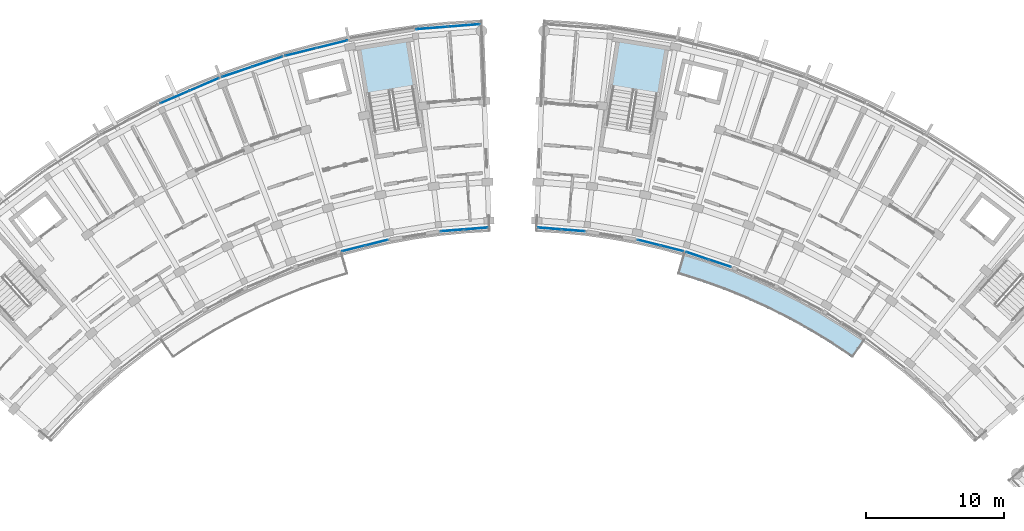
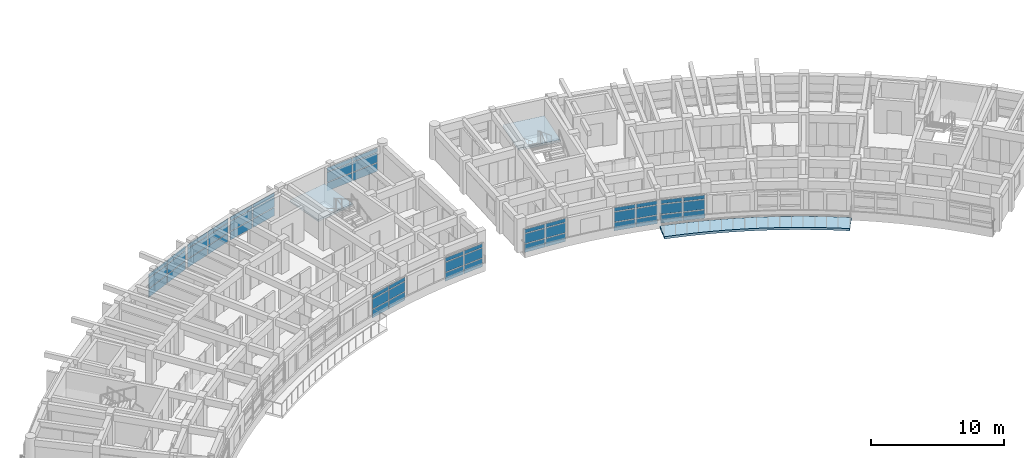
# One storey, part 21 of 56: 54 plates, 3 slabs, 11 elements without a shape of their own.
"""IFC4 building model written with IfcOpenShell, lengths in metres."""

import ifcopenshell
import ifcopenshell.guid

model = None  # the IFC model being written
_history = None  # IfcOwnerHistory: only IFC2X3 demands one
_inside = {}  # id of a spatial element -> (the spatial element, [elements in it])
_under = {}  # id of a project, library or spatial element -> (it, [spatial elements below it])
_declared = {}  # id of a project -> (the project, [libraries it declares])
_typed = {}  # id of a type object -> (the type object, [elements of that type])
_made_of = {}  # id of a material, layer set ... -> (it, [elements and type objects made of it])


def new_model(schema):
    """Start an empty IFC model of exactly this schema.

    Asked for "IFC4X3", IfcOpenShell would pick the latest addendum, in which some entities
    have other attributes; the version numbers below select the first issue.
    IFC2X3 requires an IfcOwnerHistory on every rooted entity: one is made here for all.
    """
    global model, _history
    if schema == "IFC4X3":
        model = ifcopenshell.file(schema_version=(4, 3, 0, 0))
    else:
        model = ifcopenshell.file(schema=schema)
    _inside.clear()
    _under.clear()
    _declared.clear()
    _typed.clear()
    _made_of.clear()
    _history = None
    if model.schema == "IFC2X3":
        org = make("IfcOrganization", Name="unknown")
        user = make(
            "IfcPersonAndOrganization",
            ThePerson=make("IfcPerson", FamilyName="unknown"),
            TheOrganization=org,
        )
        app = make(
            "IfcApplication",
            ApplicationDeveloper=org,
            Version="unknown",
            ApplicationFullName="unknown",
            ApplicationIdentifier="unknown",
        )
        _history = make(
            "IfcOwnerHistory",
            OwningUser=user,
            OwningApplication=app,
            ChangeAction="ADDED",
            CreationDate=0,
        )
    return model


def make(cls, **values):
    """One entity of the class cls with the attributes given. An attribute that is None is left unset."""
    return model.create_entity(
        cls, **{name: value for name, value in values.items() if value is not None}
    )


def rooted(cls, **values):
    """An entity with a GlobalId (a new one), such as an element, a storey or a relation."""
    return make(cls, GlobalId=ifcopenshell.guid.new(), OwnerHistory=_history, **values)


def si_unit(unit_type, name, prefix=None):
    """IfcSIUnit, for example si_unit("LENGTHUNIT", "METRE", prefix="MILLI")."""
    return make("IfcSIUnit", UnitType=unit_type, Prefix=prefix, Name=name)


def assignment(units):
    """IfcUnitAssignment: the units of a project."""
    return None if units is None else make("IfcUnitAssignment", Units=units)


def point(xyz):
    """IfcCartesianPoint."""
    return None if xyz is None else make("IfcCartesianPoint", Coordinates=xyz)


def direction(xyz):
    """IfcDirection."""
    return None if xyz is None else make("IfcDirection", DirectionRatios=xyz)


def frame(location, z_axis=None, x_axis=None):
    """IfcAxis2Placement3D, a coordinate frame: its origin and axes. An axis left out is left unset."""
    return make(
        "IfcAxis2Placement3D",
        Location=point(location),
        Axis=direction(z_axis),
        RefDirection=direction(x_axis),
    )


def frame_2d(location, x_axis=None):
    """IfcAxis2Placement2D, a coordinate frame in the plane: its origin and x axis."""
    return make(
        "IfcAxis2Placement2D", Location=point(location), RefDirection=direction(x_axis)
    )


def origin():
    """The frame at (0, 0, 0) with its axes left unset."""
    return frame((0.0, 0.0, 0.0))


def origin_2d():
    """The frame at (0, 0) in the plane with its x axis left unset."""
    return frame_2d((0.0, 0.0))


def place(relative_to, where):
    """IfcLocalPlacement: puts the frame where relative to a parent placement (None: the world)."""
    return make(
        "IfcLocalPlacement", PlacementRelTo=relative_to, RelativePlacement=where
    )


def context(
    kind, dimensions, precision=None, world=None, true_north=None, identifier=None
):
    """IfcGeometricRepresentationContext, for example the 3D "Model" context."""
    return make(
        "IfcGeometricRepresentationContext",
        ContextIdentifier=identifier,
        ContextType=kind,
        CoordinateSpaceDimension=dimensions,
        Precision=precision,
        WorldCoordinateSystem=world,
        TrueNorth=true_north,
    )


def subcontext(parent, identifier, kind, view, scale=None):
    """IfcGeometricRepresentationSubContext, for example "Body" below "Model"."""
    return make(
        "IfcGeometricRepresentationSubContext",
        ContextIdentifier=identifier,
        ContextType=kind,
        ParentContext=parent,
        TargetScale=scale,
        TargetView=view,
    )


def project(units=None, contexts=None):
    """IfcProject with its units and contexts."""
    return rooted(
        "IfcProject",
        Name="project",
        RepresentationContexts=contexts,
        UnitsInContext=assignment(units),
    )


def spatial(cls, under=None, at=None, **own):
    """A site, building, storey or space (cls), placed at a placement, below another one or the project."""
    s = rooted(cls, ObjectPlacement=at, **own)
    if under is not None:
        _under.setdefault(under.id(), (under, []))[1].append(s)
    return s


def polyline(points):
    """IfcPolyline through the points."""
    return make("IfcPolyline", Points=[point(p) for p in points])


def profile(cls, at=None, kind="AREA", **sizes):
    """A parametric profile (cls). Its sizes go by their IFC names, for example OverallWidth=200.0."""
    return make(cls, ProfileType=kind, Position=at, **sizes)


def rectangle(**sizes):
    """IfcRectangleProfileDef."""
    return profile("IfcRectangleProfileDef", **sizes)


def outline(outer, holes=None, kind="AREA"):
    """IfcArbitraryClosedProfileDef: a profile drawn as a closed curve; with holes, ...WithVoids."""
    if holes is None:
        return make("IfcArbitraryClosedProfileDef", ProfileType=kind, OuterCurve=outer)
    return make(
        "IfcArbitraryProfileDefWithVoids",
        ProfileType=kind,
        OuterCurve=outer,
        InnerCurves=holes,
    )


def extrude(swept, where, along, depth):
    """IfcExtrudedAreaSolid: the profile swept, set in the frame where, extruded along a direction by depth."""
    return make(
        "IfcExtrudedAreaSolid",
        SweptArea=swept,
        Position=where,
        ExtrudedDirection=direction(along),
        Depth=depth,
    )


def shape(context_of_items, identifier, shape_type, items):
    """IfcShapeRepresentation: the items that make up one representation, for example the "Body"."""
    return make(
        "IfcShapeRepresentation",
        ContextOfItems=context_of_items,
        RepresentationIdentifier=identifier,
        RepresentationType=shape_type,
        Items=items,
    )


def material(Name=None, Category=None):
    """IfcMaterial."""
    return make("IfcMaterial", Name=Name, Category=Category)


def layer(
    of_material, thickness, ventilated=None, Name=None, Category=None, Priority=None
):
    """IfcMaterialLayer: one layer of a wall or slab, of a material (None: an air gap)."""
    return make(
        "IfcMaterialLayer",
        Material=of_material,
        LayerThickness=thickness,
        IsVentilated=ventilated,
        Name=Name,
        Category=Category,
        Priority=Priority,
    )


def layer_set(layers, Name=None):
    """IfcMaterialLayerSet."""
    return make("IfcMaterialLayerSet", MaterialLayers=layers, LayerSetName=Name)


def made_of(thing, what):
    """Note that an element or type object is made of a material, layer set ...; save() writes the relation."""
    if what is not None:
        _made_of.setdefault(what.id(), (what, []))[1].append(thing)
    return thing


def type_object(cls, material=None, **own):
    """A type object (cls), such as IfcWallType, which elements share."""
    return made_of(rooted(cls, **own), material)


def element(
    cls,
    number,
    at=None,
    inside=None,
    cuts=None,
    type_object=None,
    material=None,
    context=None,
    identifier="Body",
    shape_type=None,
    held_by="IfcProductDefinitionShape",
    body=None,
    shapes=None,
    **own,
):
    """One element of the class cls, such as IfcWall. Its Tag is "e" and its number.

    at: its placement. inside: the storey or other place that contains it. cuts: it is an
    opening in that element (IfcRelVoidsElement). A single representation is given by context,
    identifier, shape_type and body (its items); several are given by shapes. held_by: the class
    of the entity that holds the representations. save() writes the other relations.
    """
    e = rooted(cls, Tag="e%d" % number, ObjectPlacement=at, **own)
    if body is not None:
        shapes = [shape(context, identifier, shape_type, body)]
    if shapes is not None:
        e.Representation = make(held_by, Representations=shapes)
    if inside is not None:
        _inside.setdefault(inside.id(), (inside, []))[1].append(e)
    if cuts is not None:
        rooted(
            "IfcRelVoidsElement", RelatingBuildingElement=cuts, RelatedOpeningElement=e
        )
    if type_object is not None:
        _typed.setdefault(type_object.id(), (type_object, []))[1].append(e)
    return made_of(e, material)


def aggregate(whole, parts):
    """IfcRelAggregates: a whole, such as a stair, and the parts it consists of."""
    return rooted("IfcRelAggregates", RelatingObject=whole, RelatedObjects=parts)


def save(model, path):
    """Write the relations noted so far, then the file.

    IfcRelAggregates (storeys below a building ...), IfcRelContainedInSpatialStructure (elements
    in a storey), IfcRelDefinesByType, IfcRelAssociatesMaterial and IfcRelDeclares: one each for
    every whole, place, type object, material and project.
    """
    for whole, parts in _under.values():
        aggregate(whole, parts)
    for where, things in _inside.values():
        rooted(
            "IfcRelContainedInSpatialStructure",
            RelatedElements=things,
            RelatingStructure=where,
        )
    for kind, things in _typed.values():
        rooted("IfcRelDefinesByType", RelatedObjects=things, RelatingType=kind)
    for what, things in _made_of.values():
        rooted("IfcRelAssociatesMaterial", RelatedObjects=things, RelatingMaterial=what)
    for by, libraries in _declared.values():
        rooted("IfcRelDeclares", RelatingContext=by, RelatedDefinitions=libraries)
    model.write(path)


model = new_model("IFC4")

# Units and contexts
model_context = context("Model", 3, precision=1e-05, world=origin(), true_north=direction((0.0, 1.0)))
body_context = subcontext(model_context, "Body", "Model", "MODEL_VIEW")
ifc_project = project(units=[si_unit("LENGTHUNIT", "METRE"), si_unit("AREAUNIT", "SQUARE_METRE"), si_unit("VOLUMEUNIT", "CUBIC_METRE"), si_unit("PLANEANGLEUNIT", "RADIAN"), si_unit("MASSUNIT", "GRAM", prefix="KILO")], contexts=[model_context])

# Site, building, storey
site_placement = place(None, origin())
site = spatial("IfcSite", under=ifc_project, at=site_placement, CompositionType="ELEMENT")
building_placement = place(site_placement, origin())
building = spatial("IfcBuilding", under=site, at=building_placement, Name="Zimvara Arc Housing Community", CompositionType="ELEMENT")
storey_placement = place(building_placement, frame((0.0, 0.0, 17.39990234375)))
storey = spatial("IfcBuildingStorey", under=building, at=storey_placement, Name="L05", CompositionType="ELEMENT", Elevation=17.39990234375)

# Curtain wall, plates
ifc_material_1 = material(Name="Anodised Aluminium AW-6063", Category="aluminium")
curtain_wall_type_1 = type_object("IfcCurtainWallType", Name="CW-SYS-04", PredefinedType="USERDEFINED", material=ifc_material_1)
curtain_wall_1_placement = place(storey_placement, origin())
curtain_wall_1 = element("IfcCurtainWall", 1, at=curtain_wall_1_placement, inside=storey, type_object=curtain_wall_type_1, Name="cw:blkA:L05:out:b6", ObjectType="CURTAIN WALL", PredefinedType="USERDEFINED")
ifc_material_2 = material(Name="Pale-Gold Anodised Aluminium Spandrel Panel", Category="aluminium")
ifc_layer_1 = layer(ifc_material_2, 0.035888671875)
ifc_layer_set_1 = layer_set([ifc_layer_1], Name="Pale-Gold Anodised Aluminium Spandrel Panel")
plate_type_1 = type_object("IfcPlateType", Name="CWP-GLD-36", PredefinedType="CURTAIN_PANEL", material=ifc_layer_set_1)
plate_1_placement = place(storey_placement, frame((24.990478515625, 100.36669921875, 0.065185546875), z_axis=(0.0, 0.0, 1.0), x_axis=(0.947879647164, 0.318628583921, 0.0)))
plate_1 = element("IfcPlate", 2, at=plate_1_placement, type_object=plate_type_1, Name="CW04 panel 1.1", PredefinedType="CURTAIN_PANEL", context=body_context, shape_type="SweptSolid", body=[
    extrude(rectangle(XDim=2.266845703125, YDim=0.035888671875, at=origin_2d()), origin(), (0.0, 0.0, 1.0), 0.75244140625),
])
plate_2_placement = place(storey_placement, frame((24.990478515625, 100.36669921875, 0.8828125), z_axis=(0.0, 0.0, 1.0), x_axis=(0.947879647164, 0.318628583921, 0.0)))
plate_2 = element("IfcPlate", 3, at=plate_2_placement, type_object=plate_type_1, Name="CW04 panel 1.2", PredefinedType="CURTAIN_PANEL", context=body_context, shape_type="SweptSolid", body=[
    extrude(rectangle(XDim=2.266845703125, YDim=0.035888671875, at=origin_2d()), origin(), (0.0, 0.0, 1.0), 0.885009765625),
])
plate_3_placement = place(storey_placement, frame((24.990478515625, 100.36669921875, 1.83251953125), z_axis=(0.0, 0.0, 1.0), x_axis=(0.947879647164, 0.318628583921, 0.0)))
plate_3 = element("IfcPlate", 4, at=plate_3_placement, type_object=plate_type_1, Name="CW04 panel 1.3", PredefinedType="CURTAIN_PANEL", context=body_context, shape_type="SweptSolid", body=[
    extrude(rectangle(XDim=2.266845703125, YDim=0.035888671875, at=origin_2d()), origin(), (0.0, 0.0, 1.0), 0.3525390625),
])
plate_4_placement = place(storey_placement, frame((27.200927734375, 101.109619140625, 0.065185546875), z_axis=(0.0, 0.0, 1.0), x_axis=(0.947879647164, 0.318628583921, 0.0)))
plate_4 = element("IfcPlate", 5, at=plate_4_placement, type_object=plate_type_1, Name="CW04 panel 2.1", PredefinedType="CURTAIN_PANEL", context=body_context, shape_type="SweptSolid", body=[
    extrude(rectangle(XDim=2.266845703125, YDim=0.035888671875, at=origin_2d()), origin(), (0.0, 0.0, 1.0), 0.75244140625),
])
plate_5_placement = place(storey_placement, frame((27.200927734375, 101.109619140625, 0.8828125), z_axis=(0.0, 0.0, 1.0), x_axis=(0.947879647164, 0.318628583921, 0.0)))
plate_5 = element("IfcPlate", 6, at=plate_5_placement, type_object=plate_type_1, Name="CW04 panel 2.2", PredefinedType="CURTAIN_PANEL", context=body_context, shape_type="SweptSolid", body=[
    extrude(rectangle(XDim=2.266845703125, YDim=0.035888671875, at=origin_2d()), origin(), (0.0, 0.0, 1.0), 0.885009765625),
])
plate_6_placement = place(storey_placement, frame((27.200927734375, 101.109619140625, 1.83251953125), z_axis=(0.0, 0.0, 1.0), x_axis=(0.947879647164, 0.318628583921, 0.0)))
plate_6 = element("IfcPlate", 7, at=plate_6_placement, type_object=plate_type_1, Name="CW04 panel 2.3", PredefinedType="CURTAIN_PANEL", context=body_context, shape_type="SweptSolid", body=[
    extrude(rectangle(XDim=2.266845703125, YDim=0.035888671875, at=origin_2d()), origin(), (0.0, 0.0, 1.0), 0.3525390625),
])
aggregate(curtain_wall_1, [plate_1, plate_2, plate_3, plate_4, plate_5, plate_6])

ifc_material_3 = material(Name="Anodised Aluminium AW-6063", Category="aluminium")
curtain_wall_type_2 = type_object("IfcCurtainWallType", Name="CW-SYS-08", PredefinedType="USERDEFINED", material=ifc_material_3)
curtain_wall_2_placement = place(storey_placement, origin())
curtain_wall_2 = element("IfcCurtainWall", 8, at=curtain_wall_2_placement, inside=storey, type_object=curtain_wall_type_2, Name="cw:blkA:L05:in:b9", ObjectType="CURTAIN WALL", PredefinedType="USERDEFINED")
plate_7_placement = place(storey_placement, frame((40.609130859375, 88.87451171875, 0.065185546875), z_axis=(0.0, 0.0, 1.0), x_axis=(0.996862343506, 0.079154709897, 0.0)))
plate_7 = element("IfcPlate", 9, at=plate_7_placement, type_object=plate_type_1, Name="CW08 panel 1.1", PredefinedType="CURTAIN_PANEL", context=body_context, shape_type="SweptSolid", body=[
    extrude(rectangle(XDim=1.664306640625, YDim=0.035888671875, at=origin_2d()), origin(), (0.0, 0.0, 1.0), 0.75244140625),
])
plate_8_placement = place(storey_placement, frame((40.609130859375, 88.87451171875, 0.8828125), z_axis=(0.0, 0.0, 1.0), x_axis=(0.996862343506, 0.079154709897, 0.0)))
plate_8 = element("IfcPlate", 10, at=plate_8_placement, type_object=plate_type_1, Name="CW08 panel 1.2", PredefinedType="CURTAIN_PANEL", context=body_context, shape_type="SweptSolid", body=[
    extrude(rectangle(XDim=1.664306640625, YDim=0.035888671875, at=origin_2d()), origin(), (0.0, 0.0, 1.0), 0.885009765625),
])
plate_9_placement = place(storey_placement, frame((40.609130859375, 88.87451171875, 1.83251953125), z_axis=(0.0, 0.0, 1.0), x_axis=(0.996862343506, 0.079154709897, 0.0)))
plate_9 = element("IfcPlate", 11, at=plate_9_placement, type_object=plate_type_1, Name="CW08 panel 1.3", PredefinedType="CURTAIN_PANEL", context=body_context, shape_type="SweptSolid", body=[
    extrude(rectangle(XDim=1.664306640625, YDim=0.035888671875, at=origin_2d()), origin(), (0.0, 0.0, 1.0), 0.3525390625),
])
plate_10_placement = place(storey_placement, frame((42.3330078125, 89.01123046875, 0.065185546875), z_axis=(0.0, 0.0, 1.0), x_axis=(0.996862343506, 0.079154709897, 0.0)))
plate_10 = element("IfcPlate", 12, at=plate_10_placement, type_object=plate_type_1, Name="CW08 panel 2.1", PredefinedType="CURTAIN_PANEL", context=body_context, shape_type="SweptSolid", body=[
    extrude(rectangle(XDim=1.664306640625, YDim=0.035888671875, at=origin_2d()), origin(), (0.0, 0.0, 1.0), 0.75244140625),
])
plate_11_placement = place(storey_placement, frame((42.3330078125, 89.01123046875, 0.8828125), z_axis=(0.0, 0.0, 1.0), x_axis=(0.996862343506, 0.079154709897, 0.0)))
plate_11 = element("IfcPlate", 13, at=plate_11_placement, type_object=plate_type_1, Name="CW08 panel 2.2", PredefinedType="CURTAIN_PANEL", context=body_context, shape_type="SweptSolid", body=[
    extrude(rectangle(XDim=1.664306640625, YDim=0.035888671875, at=origin_2d()), origin(), (0.0, 0.0, 1.0), 0.885009765625),
])
plate_12_placement = place(storey_placement, frame((42.3330078125, 89.01123046875, 1.83251953125), z_axis=(0.0, 0.0, 1.0), x_axis=(0.996862343506, 0.079154709897, 0.0)))
plate_12 = element("IfcPlate", 14, at=plate_12_placement, type_object=plate_type_1, Name="CW08 panel 2.3", PredefinedType="CURTAIN_PANEL", context=body_context, shape_type="SweptSolid", body=[
    extrude(rectangle(XDim=1.664306640625, YDim=0.035888671875, at=origin_2d()), origin(), (0.0, 0.0, 1.0), 0.3525390625),
])
aggregate(curtain_wall_2, [plate_7, plate_8, plate_9, plate_10, plate_11, plate_12])

curtain_wall_3_placement = place(storey_placement, origin())
curtain_wall_3 = element("IfcCurtainWall", 15, at=curtain_wall_3_placement, inside=storey, type_object=curtain_wall_type_1, Name="cw:blkB:L05:in:b0", ObjectType="CURTAIN WALL", PredefinedType="USERDEFINED")
plate_13_placement = place(storey_placement, frame((47.6669921875, 89.01123046875, 0.065185546875), z_axis=(0.0, 0.0, 1.0), x_axis=(0.996862343506, -0.079154709897, 0.0)))
plate_13 = element("IfcPlate", 16, at=plate_13_placement, type_object=plate_type_1, Name="CW04 panel 1.1", PredefinedType="CURTAIN_PANEL", context=body_context, shape_type="SweptSolid", body=[
    extrude(rectangle(XDim=1.664306640625, YDim=0.035888671875, at=origin_2d()), origin(), (0.0, 0.0, 1.0), 0.75244140625),
])
plate_14_placement = place(storey_placement, frame((47.6669921875, 89.01123046875, 0.8828125), z_axis=(0.0, 0.0, 1.0), x_axis=(0.996862343506, -0.079154709897, 0.0)))
plate_14 = element("IfcPlate", 17, at=plate_14_placement, type_object=plate_type_1, Name="CW04 panel 1.2", PredefinedType="CURTAIN_PANEL", context=body_context, shape_type="SweptSolid", body=[
    extrude(rectangle(XDim=1.664306640625, YDim=0.035888671875, at=origin_2d()), origin(), (0.0, 0.0, 1.0), 0.885009765625),
])
plate_15_placement = place(storey_placement, frame((47.6669921875, 89.01123046875, 1.83251953125), z_axis=(0.0, 0.0, 1.0), x_axis=(0.996862343506, -0.079154709897, 0.0)))
plate_15 = element("IfcPlate", 18, at=plate_15_placement, type_object=plate_type_1, Name="CW04 panel 1.3", PredefinedType="CURTAIN_PANEL", context=body_context, shape_type="SweptSolid", body=[
    extrude(rectangle(XDim=1.664306640625, YDim=0.035888671875, at=origin_2d()), origin(), (0.0, 0.0, 1.0), 0.3525390625),
])
plate_16_placement = place(storey_placement, frame((49.390869140625, 88.87451171875, 0.065185546875), z_axis=(0.0, 0.0, 1.0), x_axis=(0.996862343506, -0.079154709897, 0.0)))
plate_16 = element("IfcPlate", 19, at=plate_16_placement, type_object=plate_type_1, Name="CW04 panel 2.1", PredefinedType="CURTAIN_PANEL", context=body_context, shape_type="SweptSolid", body=[
    extrude(rectangle(XDim=1.664306640625, YDim=0.035888671875, at=origin_2d()), origin(), (0.0, 0.0, 1.0), 0.75244140625),
])
plate_17_placement = place(storey_placement, frame((49.390869140625, 88.87451171875, 0.8828125), z_axis=(0.0, 0.0, 1.0), x_axis=(0.996862343506, -0.079154709897, 0.0)))
plate_17 = element("IfcPlate", 20, at=plate_17_placement, type_object=plate_type_1, Name="CW04 panel 2.2", PredefinedType="CURTAIN_PANEL", context=body_context, shape_type="SweptSolid", body=[
    extrude(rectangle(XDim=1.664306640625, YDim=0.035888671875, at=origin_2d()), origin(), (0.0, 0.0, 1.0), 0.885009765625),
])
plate_18_placement = place(storey_placement, frame((49.390869140625, 88.87451171875, 1.83251953125), z_axis=(0.0, 0.0, 1.0), x_axis=(0.996862343506, -0.079154709897, 0.0)))
plate_18 = element("IfcPlate", 21, at=plate_18_placement, type_object=plate_type_1, Name="CW04 panel 2.3", PredefinedType="CURTAIN_PANEL", context=body_context, shape_type="SweptSolid", body=[
    extrude(rectangle(XDim=1.664306640625, YDim=0.035888671875, at=origin_2d()), origin(), (0.0, 0.0, 1.0), 0.3525390625),
])
aggregate(curtain_wall_3, [plate_13, plate_14, plate_15, plate_16, plate_17, plate_18])

curtain_wall_4_placement = place(storey_placement, origin())
curtain_wall_4 = element("IfcCurtainWall", 22, at=curtain_wall_4_placement, inside=storey, type_object=curtain_wall_type_2, Name="cw:blkB:L05:in:b3", ObjectType="CURTAIN WALL", PredefinedType="USERDEFINED")
plate_19_placement = place(storey_placement, frame((58.3857421875, 87.03466796875, 0.065185546875), z_axis=(0.0, 0.0, 1.0), x_axis=(0.94787908732, -0.318630249383, 0.0)))
plate_19 = element("IfcPlate", 23, at=plate_19_placement, type_object=plate_type_1, Name="CW08 panel 1.1", PredefinedType="CURTAIN_PANEL", context=body_context, shape_type="SweptSolid", body=[
    extrude(rectangle(XDim=1.664306640625, YDim=0.035888671875, at=origin_2d()), origin(), (0.0, 0.0, 1.0), 0.75244140625),
])
plate_20_placement = place(storey_placement, frame((58.3857421875, 87.03466796875, 0.8828125), z_axis=(0.0, 0.0, 1.0), x_axis=(0.94787908732, -0.318630249383, 0.0)))
plate_20 = element("IfcPlate", 24, at=plate_20_placement, type_object=plate_type_1, Name="CW08 panel 1.2", PredefinedType="CURTAIN_PANEL", context=body_context, shape_type="SweptSolid", body=[
    extrude(rectangle(XDim=1.664306640625, YDim=0.035888671875, at=origin_2d()), origin(), (0.0, 0.0, 1.0), 0.885009765625),
])
plate_21_placement = place(storey_placement, frame((58.3857421875, 87.03466796875, 1.83251953125), z_axis=(0.0, 0.0, 1.0), x_axis=(0.94787908732, -0.318630249383, 0.0)))
plate_21 = element("IfcPlate", 25, at=plate_21_placement, type_object=plate_type_1, Name="CW08 panel 1.3", PredefinedType="CURTAIN_PANEL", context=body_context, shape_type="SweptSolid", body=[
    extrude(rectangle(XDim=1.664306640625, YDim=0.035888671875, at=origin_2d()), origin(), (0.0, 0.0, 1.0), 0.3525390625),
])
plate_22_placement = place(storey_placement, frame((60.02490234375, 86.483642578125, 0.065185546875), z_axis=(0.0, 0.0, 1.0), x_axis=(0.94787908732, -0.318630249383, 0.0)))
plate_22 = element("IfcPlate", 26, at=plate_22_placement, type_object=plate_type_1, Name="CW08 panel 2.1", PredefinedType="CURTAIN_PANEL", context=body_context, shape_type="SweptSolid", body=[
    extrude(rectangle(XDim=1.664306640625, YDim=0.035888671875, at=origin_2d()), origin(), (0.0, 0.0, 1.0), 0.75244140625),
])
plate_23_placement = place(storey_placement, frame((60.02490234375, 86.483642578125, 0.8828125), z_axis=(0.0, 0.0, 1.0), x_axis=(0.94787908732, -0.318630249383, 0.0)))
plate_23 = element("IfcPlate", 27, at=plate_23_placement, type_object=plate_type_1, Name="CW08 panel 2.2", PredefinedType="CURTAIN_PANEL", context=body_context, shape_type="SweptSolid", body=[
    extrude(rectangle(XDim=1.664306640625, YDim=0.035888671875, at=origin_2d()), origin(), (0.0, 0.0, 1.0), 0.885009765625),
])
plate_24_placement = place(storey_placement, frame((60.02490234375, 86.483642578125, 1.83251953125), z_axis=(0.0, 0.0, 1.0), x_axis=(0.94787908732, -0.318630249383, 0.0)))
plate_24 = element("IfcPlate", 28, at=plate_24_placement, type_object=plate_type_1, Name="CW08 panel 2.3", PredefinedType="CURTAIN_PANEL", context=body_context, shape_type="SweptSolid", body=[
    extrude(rectangle(XDim=1.664306640625, YDim=0.035888671875, at=origin_2d()), origin(), (0.0, 0.0, 1.0), 0.3525390625),
])
aggregate(curtain_wall_4, [plate_19, plate_20, plate_21, plate_22, plate_23, plate_24])

ifc_material_4 = material(Name="Anodised Aluminium AW-6063", Category="aluminium")
curtain_wall_type_3 = type_object("IfcCurtainWallType", Name="CW-SYS-05", PredefinedType="USERDEFINED", material=ifc_material_4)
curtain_wall_5_placement = place(storey_placement, origin())
curtain_wall_5 = element("IfcCurtainWall", 29, at=curtain_wall_5_placement, inside=storey, type_object=curtain_wall_type_3, Name="cw:blkA:L05:out:b7", ObjectType="CURTAIN WALL", PredefinedType="USERDEFINED")
ifc_material_5 = material(Name="Solar Control Low-E Double Glazing", Category="glass")
ifc_layer_2 = layer(ifc_material_5, 0.02392578125)
ifc_layer_set_2 = layer_set([ifc_layer_2], Name="Solar Control Low-E Double Glazing")
plate_type_2 = type_object("IfcPlateType", Name="CWP-GLZ-24", PredefinedType="CURTAIN_PANEL", material=ifc_layer_set_2)
plate_25_placement = place(storey_placement, frame((29.615234375, 101.81298828125, 0.065185546875), z_axis=(0.0, 0.0, 1.0), x_axis=(0.970716068627, 0.240229711131, 0.0)))
plate_25 = element("IfcPlate", 30, at=plate_25_placement, type_object=plate_type_2, Name="CW05 panel 1.1", PredefinedType="CURTAIN_PANEL", context=body_context, shape_type="SweptSolid", body=[
    extrude(rectangle(XDim=2.266845703125, YDim=0.02392578125, at=origin_2d()), origin(), (0.0, 0.0, 1.0), 0.75244140625),
])
plate_26_placement = place(storey_placement, frame((29.615234375, 101.81298828125, 0.8828125), z_axis=(0.0, 0.0, 1.0), x_axis=(0.970716068627, 0.240229711131, 0.0)))
plate_26 = element("IfcPlate", 31, at=plate_26_placement, type_object=plate_type_2, Name="CW05 panel 1.2", PredefinedType="CURTAIN_PANEL", context=body_context, shape_type="SweptSolid", body=[
    extrude(rectangle(XDim=2.266845703125, YDim=0.02392578125, at=origin_2d()), origin(), (0.0, 0.0, 1.0), 0.885009765625),
])
plate_27_placement = place(storey_placement, frame((29.615234375, 101.81298828125, 1.83251953125), z_axis=(0.0, 0.0, 1.0), x_axis=(0.970716068627, 0.240229711131, 0.0)))
plate_27 = element("IfcPlate", 32, at=plate_27_placement, type_object=plate_type_2, Name="CW05 panel 1.3", PredefinedType="CURTAIN_PANEL", context=body_context, shape_type="SweptSolid", body=[
    extrude(rectangle(XDim=2.266845703125, YDim=0.02392578125, at=origin_2d()), origin(), (0.0, 0.0, 1.0), 0.3525390625),
])
plate_28_placement = place(storey_placement, frame((31.87890625, 102.373291015625, 0.065185546875), z_axis=(0.0, 0.0, 1.0), x_axis=(0.970716068627, 0.240229711131, 0.0)))
plate_28 = element("IfcPlate", 33, at=plate_28_placement, type_object=plate_type_2, Name="CW05 panel 2.1", PredefinedType="CURTAIN_PANEL", context=body_context, shape_type="SweptSolid", body=[
    extrude(rectangle(XDim=2.266845703125, YDim=0.02392578125, at=origin_2d()), origin(), (0.0, 0.0, 1.0), 0.75244140625),
])
plate_29_placement = place(storey_placement, frame((31.87890625, 102.373291015625, 0.8828125), z_axis=(0.0, 0.0, 1.0), x_axis=(0.970716068627, 0.240229711131, 0.0)))
plate_29 = element("IfcPlate", 34, at=plate_29_placement, type_object=plate_type_2, Name="CW05 panel 2.2", PredefinedType="CURTAIN_PANEL", context=body_context, shape_type="SweptSolid", body=[
    extrude(rectangle(XDim=2.266845703125, YDim=0.02392578125, at=origin_2d()), origin(), (0.0, 0.0, 1.0), 0.885009765625),
])
plate_30_placement = place(storey_placement, frame((31.87890625, 102.373291015625, 1.83251953125), z_axis=(0.0, 0.0, 1.0), x_axis=(0.970716068627, 0.240229711131, 0.0)))
plate_30 = element("IfcPlate", 35, at=plate_30_placement, type_object=plate_type_2, Name="CW05 panel 2.3", PredefinedType="CURTAIN_PANEL", context=body_context, shape_type="SweptSolid", body=[
    extrude(rectangle(XDim=2.266845703125, YDim=0.02392578125, at=origin_2d()), origin(), (0.0, 0.0, 1.0), 0.3525390625),
])
aggregate(curtain_wall_5, [plate_25, plate_26, plate_27, plate_28, plate_29, plate_30])

ifc_material_6 = material(Name="Anodised Aluminium AW-6063", Category="aluminium")
curtain_wall_type_4 = type_object("IfcCurtainWallType", Name="CW-SYS-02", PredefinedType="USERDEFINED", material=ifc_material_6)
curtain_wall_6_placement = place(storey_placement, origin())
curtain_wall_6 = element("IfcCurtainWall", 36, at=curtain_wall_6_placement, inside=storey, type_object=curtain_wall_type_4, Name="cw:blkA:L05:out:b5", ObjectType="CURTAIN WALL", PredefinedType="USERDEFINED")
ifc_material_7 = material(Name="Solar Control Low-E Double Glazing", Category="glass")
ifc_layer_3 = layer(ifc_material_7, 0.028076171875)
ifc_layer_set_3 = layer_set([ifc_layer_3], Name="Solar Control Low-E Double Glazing")
plate_type_3 = type_object("IfcPlateType", Name="CWP-GLZ-28", PredefinedType="CURTAIN_PANEL", material=ifc_layer_set_3)
plate_31_placement = place(storey_placement, frame((20.4990234375, 98.5478515625, 0.065185546875), z_axis=(0.0, 0.0, 1.0), x_axis=(0.918722299363, 0.394904211998, 0.0)))
plate_31 = element("IfcPlate", 37, at=plate_31_placement, type_object=plate_type_3, Name="CW02 panel 1.1", PredefinedType="CURTAIN_PANEL", context=body_context, shape_type="SweptSolid", body=[
    extrude(rectangle(XDim=2.266845703125, YDim=0.028076171875, at=origin_2d()), origin(), (0.0, 0.0, 1.0), 0.75244140625),
])
plate_32_placement = place(storey_placement, frame((20.4990234375, 98.5478515625, 0.8828125), z_axis=(0.0, 0.0, 1.0), x_axis=(0.918722299363, 0.394904211998, 0.0)))
plate_32 = element("IfcPlate", 38, at=plate_32_placement, type_object=plate_type_3, Name="CW02 panel 1.2", PredefinedType="CURTAIN_PANEL", context=body_context, shape_type="SweptSolid", body=[
    extrude(rectangle(XDim=2.266845703125, YDim=0.028076171875, at=origin_2d()), origin(), (0.0, 0.0, 1.0), 0.885009765625),
])
plate_33_placement = place(storey_placement, frame((20.4990234375, 98.5478515625, 1.83251953125), z_axis=(0.0, 0.0, 1.0), x_axis=(0.918722299363, 0.394904211998, 0.0)))
plate_33 = element("IfcPlate", 39, at=plate_33_placement, type_object=plate_type_3, Name="CW02 panel 1.3", PredefinedType="CURTAIN_PANEL", context=body_context, shape_type="SweptSolid", body=[
    extrude(rectangle(XDim=2.266845703125, YDim=0.028076171875, at=origin_2d()), origin(), (0.0, 0.0, 1.0), 0.3525390625),
])
plate_34_placement = place(storey_placement, frame((22.641357421875, 99.46875, 0.065185546875), z_axis=(0.0, 0.0, 1.0), x_axis=(0.918722299363, 0.394904211998, 0.0)))
plate_34 = element("IfcPlate", 40, at=plate_34_placement, type_object=plate_type_3, Name="CW02 panel 2.1", PredefinedType="CURTAIN_PANEL", context=body_context, shape_type="SweptSolid", body=[
    extrude(rectangle(XDim=2.266845703125, YDim=0.028076171875, at=origin_2d()), origin(), (0.0, 0.0, 1.0), 0.75244140625),
])
plate_35_placement = place(storey_placement, frame((22.641357421875, 99.46875, 0.8828125), z_axis=(0.0, 0.0, 1.0), x_axis=(0.918722299363, 0.394904211998, 0.0)))
plate_35 = element("IfcPlate", 41, at=plate_35_placement, type_object=plate_type_3, Name="CW02 panel 2.2", PredefinedType="CURTAIN_PANEL", context=body_context, shape_type="SweptSolid", body=[
    extrude(rectangle(XDim=2.266845703125, YDim=0.028076171875, at=origin_2d()), origin(), (0.0, 0.0, 1.0), 0.885009765625),
])
plate_36_placement = place(storey_placement, frame((22.641357421875, 99.46875, 1.83251953125), z_axis=(0.0, 0.0, 1.0), x_axis=(0.918722299363, 0.394904211998, 0.0)))
plate_36 = element("IfcPlate", 42, at=plate_36_placement, type_object=plate_type_3, Name="CW02 panel 2.3", PredefinedType="CURTAIN_PANEL", context=body_context, shape_type="SweptSolid", body=[
    extrude(rectangle(XDim=2.266845703125, YDim=0.028076171875, at=origin_2d()), origin(), (0.0, 0.0, 1.0), 0.3525390625),
])
aggregate(curtain_wall_6, [plate_31, plate_32, plate_33, plate_34, plate_35, plate_36])

ifc_material_8 = material(Name="Anodised Aluminium AW-6063", Category="aluminium")
curtain_wall_type_5 = type_object("IfcCurtainWallType", Name="CW-SYS-06", PredefinedType="USERDEFINED", material=ifc_material_8)
curtain_wall_7_placement = place(storey_placement, origin())
curtain_wall_7 = element("IfcCurtainWall", 43, at=curtain_wall_7_placement, inside=storey, type_object=curtain_wall_type_5, Name="cw:blkA:L05:in:b7", ObjectType="CURTAIN WALL", PredefinedType="USERDEFINED")
plate_37_placement = place(storey_placement, frame((33.45068359375, 87.569580078125, 0.065185546875), z_axis=(0.0, 0.0, 1.0), x_axis=(0.970716537698, 0.240227815706, 0.0)))
plate_37 = element("IfcPlate", 44, at=plate_37_placement, type_object=plate_type_3, Name="CW06 panel 1.1", PredefinedType="CURTAIN_PANEL", context=body_context, shape_type="SweptSolid", body=[
    extrude(rectangle(XDim=1.664306640625, YDim=0.028076171875, at=origin_2d()), origin(), (0.0, 0.0, 1.0), 0.75244140625),
])
plate_38_placement = place(storey_placement, frame((33.45068359375, 87.569580078125, 0.8828125), z_axis=(0.0, 0.0, 1.0), x_axis=(0.970716537698, 0.240227815706, 0.0)))
plate_38 = element("IfcPlate", 45, at=plate_38_placement, type_object=plate_type_3, Name="CW06 panel 1.2", PredefinedType="CURTAIN_PANEL", context=body_context, shape_type="SweptSolid", body=[
    extrude(rectangle(XDim=1.664306640625, YDim=0.028076171875, at=origin_2d()), origin(), (0.0, 0.0, 1.0), 0.885009765625),
])
plate_39_placement = place(storey_placement, frame((33.45068359375, 87.569580078125, 1.83251953125), z_axis=(0.0, 0.0, 1.0), x_axis=(0.970716537698, 0.240227815706, 0.0)))
plate_39 = element("IfcPlate", 46, at=plate_39_placement, type_object=plate_type_3, Name="CW06 panel 1.3", PredefinedType="CURTAIN_PANEL", context=body_context, shape_type="SweptSolid", body=[
    extrude(rectangle(XDim=1.664306640625, YDim=0.028076171875, at=origin_2d()), origin(), (0.0, 0.0, 1.0), 0.3525390625),
])
plate_40_placement = place(storey_placement, frame((35.12939453125, 87.98486328125, 0.065185546875), z_axis=(0.0, 0.0, 1.0), x_axis=(0.970716537698, 0.240227815706, 0.0)))
plate_40 = element("IfcPlate", 47, at=plate_40_placement, type_object=plate_type_3, Name="CW06 panel 2.1", PredefinedType="CURTAIN_PANEL", context=body_context, shape_type="SweptSolid", body=[
    extrude(rectangle(XDim=1.664306640625, YDim=0.028076171875, at=origin_2d()), origin(), (0.0, 0.0, 1.0), 0.75244140625),
])
plate_41_placement = place(storey_placement, frame((35.12939453125, 87.98486328125, 0.8828125), z_axis=(0.0, 0.0, 1.0), x_axis=(0.970716537698, 0.240227815706, 0.0)))
plate_41 = element("IfcPlate", 48, at=plate_41_placement, type_object=plate_type_3, Name="CW06 panel 2.2", PredefinedType="CURTAIN_PANEL", context=body_context, shape_type="SweptSolid", body=[
    extrude(rectangle(XDim=1.664306640625, YDim=0.028076171875, at=origin_2d()), origin(), (0.0, 0.0, 1.0), 0.885009765625),
])
plate_42_placement = place(storey_placement, frame((35.12939453125, 87.98486328125, 1.83251953125), z_axis=(0.0, 0.0, 1.0), x_axis=(0.970716537698, 0.240227815706, 0.0)))
plate_42 = element("IfcPlate", 49, at=plate_42_placement, type_object=plate_type_3, Name="CW06 panel 2.3", PredefinedType="CURTAIN_PANEL", context=body_context, shape_type="SweptSolid", body=[
    extrude(rectangle(XDim=1.664306640625, YDim=0.028076171875, at=origin_2d()), origin(), (0.0, 0.0, 1.0), 0.3525390625),
])
aggregate(curtain_wall_7, [plate_37, plate_38, plate_39, plate_40, plate_41, plate_42])

curtain_wall_8_placement = place(storey_placement, origin())
curtain_wall_8 = element("IfcCurtainWall", 50, at=curtain_wall_8_placement, inside=storey, type_object=curtain_wall_type_5, Name="cw:blkB:L05:in:b2", ObjectType="CURTAIN WALL", PredefinedType="USERDEFINED")
plate_43_placement = place(storey_placement, frame((54.87060546875, 87.98486328125, 0.065185546875), z_axis=(0.0, 0.0, 1.0), x_axis=(0.970716537698, -0.240227815706, 0.0)))
plate_43 = element("IfcPlate", 51, at=plate_43_placement, type_object=plate_type_3, Name="CW06 panel 1.1", PredefinedType="CURTAIN_PANEL", context=body_context, shape_type="SweptSolid", body=[
    extrude(rectangle(XDim=1.664306640625, YDim=0.028076171875, at=origin_2d()), origin(), (0.0, 0.0, 1.0), 0.75244140625),
])
plate_44_placement = place(storey_placement, frame((54.87060546875, 87.98486328125, 0.8828125), z_axis=(0.0, 0.0, 1.0), x_axis=(0.970716537698, -0.240227815706, 0.0)))
plate_44 = element("IfcPlate", 52, at=plate_44_placement, type_object=plate_type_3, Name="CW06 panel 1.2", PredefinedType="CURTAIN_PANEL", context=body_context, shape_type="SweptSolid", body=[
    extrude(rectangle(XDim=1.664306640625, YDim=0.028076171875, at=origin_2d()), origin(), (0.0, 0.0, 1.0), 0.885009765625),
])
plate_45_placement = place(storey_placement, frame((54.87060546875, 87.98486328125, 1.83251953125), z_axis=(0.0, 0.0, 1.0), x_axis=(0.970716537698, -0.240227815706, 0.0)))
plate_45 = element("IfcPlate", 53, at=plate_45_placement, type_object=plate_type_3, Name="CW06 panel 1.3", PredefinedType="CURTAIN_PANEL", context=body_context, shape_type="SweptSolid", body=[
    extrude(rectangle(XDim=1.664306640625, YDim=0.028076171875, at=origin_2d()), origin(), (0.0, 0.0, 1.0), 0.3525390625),
])
plate_46_placement = place(storey_placement, frame((56.54931640625, 87.569580078125, 0.065185546875), z_axis=(0.0, 0.0, 1.0), x_axis=(0.970716537698, -0.240227815706, 0.0)))
plate_46 = element("IfcPlate", 54, at=plate_46_placement, type_object=plate_type_3, Name="CW06 panel 2.1", PredefinedType="CURTAIN_PANEL", context=body_context, shape_type="SweptSolid", body=[
    extrude(rectangle(XDim=1.664306640625, YDim=0.028076171875, at=origin_2d()), origin(), (0.0, 0.0, 1.0), 0.75244140625),
])
plate_47_placement = place(storey_placement, frame((56.54931640625, 87.569580078125, 0.8828125), z_axis=(0.0, 0.0, 1.0), x_axis=(0.970716537698, -0.240227815706, 0.0)))
plate_47 = element("IfcPlate", 55, at=plate_47_placement, type_object=plate_type_3, Name="CW06 panel 2.2", PredefinedType="CURTAIN_PANEL", context=body_context, shape_type="SweptSolid", body=[
    extrude(rectangle(XDim=1.664306640625, YDim=0.028076171875, at=origin_2d()), origin(), (0.0, 0.0, 1.0), 0.885009765625),
])
plate_48_placement = place(storey_placement, frame((56.54931640625, 87.569580078125, 1.83251953125), z_axis=(0.0, 0.0, 1.0), x_axis=(0.970716537698, -0.240227815706, 0.0)))
plate_48 = element("IfcPlate", 56, at=plate_48_placement, type_object=plate_type_3, Name="CW06 panel 2.3", PredefinedType="CURTAIN_PANEL", context=body_context, shape_type="SweptSolid", body=[
    extrude(rectangle(XDim=1.664306640625, YDim=0.028076171875, at=origin_2d()), origin(), (0.0, 0.0, 1.0), 0.3525390625),
])
aggregate(curtain_wall_8, [plate_43, plate_44, plate_45, plate_46, plate_47, plate_48])

ifc_material_9 = material(Name="Anodised Aluminium AW-6063", Category="aluminium")
curtain_wall_type_6 = type_object("IfcCurtainWallType", Name="CW-SYS-07", PredefinedType="USERDEFINED", material=ifc_material_9)
curtain_wall_9_placement = place(storey_placement, origin())
curtain_wall_9 = element("IfcCurtainWall", 57, at=curtain_wall_9_placement, inside=storey, type_object=curtain_wall_type_6, Name="cw:blkA:L05:out:b9", ObjectType="CURTAIN WALL", PredefinedType="USERDEFINED")
ifc_material_10 = material(Name="Acoustic Laminated Solar Glazing", Category="glass")
ifc_layer_4 = layer(ifc_material_10, 0.031982421875)
ifc_layer_set_4 = layer_set([ifc_layer_4], Name="Acoustic Laminated Solar Glazing")
plate_type_4 = type_object("IfcPlateType", Name="CWP-GLZ-32", PredefinedType="CURTAIN_PANEL", material=ifc_layer_set_4)
plate_49_placement = place(storey_placement, frame((39.141357421875, 103.552001953125, 0.065185546875), z_axis=(0.0, 0.0, 1.0), x_axis=(0.996862418963, 0.079153759607, 0.0)))
plate_49 = element("IfcPlate", 58, at=plate_49_placement, type_object=plate_type_4, Name="CW07 panel 1.1", PredefinedType="CURTAIN_PANEL", context=body_context, shape_type="SweptSolid", body=[
    extrude(rectangle(XDim=2.266845703125, YDim=0.031982421875, at=origin_2d()), origin(), (0.0, 0.0, 1.0), 0.75244140625),
])
plate_50_placement = place(storey_placement, frame((39.141357421875, 103.552001953125, 0.8828125), z_axis=(0.0, 0.0, 1.0), x_axis=(0.996862418963, 0.079153759607, 0.0)))
plate_50 = element("IfcPlate", 59, at=plate_50_placement, type_object=plate_type_4, Name="CW07 panel 1.2", PredefinedType="CURTAIN_PANEL", context=body_context, shape_type="SweptSolid", body=[
    extrude(rectangle(XDim=2.266845703125, YDim=0.031982421875, at=origin_2d()), origin(), (0.0, 0.0, 1.0), 0.885009765625),
])
plate_51_placement = place(storey_placement, frame((39.141357421875, 103.552001953125, 1.83251953125), z_axis=(0.0, 0.0, 1.0), x_axis=(0.996862418963, 0.079153759607, 0.0)))
plate_51 = element("IfcPlate", 60, at=plate_51_placement, type_object=plate_type_4, Name="CW07 panel 1.3", PredefinedType="CURTAIN_PANEL", context=body_context, shape_type="SweptSolid", body=[
    extrude(rectangle(XDim=2.266845703125, YDim=0.031982421875, at=origin_2d()), origin(), (0.0, 0.0, 1.0), 0.3525390625),
])
plate_52_placement = place(storey_placement, frame((41.466064453125, 103.736572265625, 0.065185546875), z_axis=(0.0, 0.0, 1.0), x_axis=(0.996862418963, 0.079153759607, 0.0)))
plate_52 = element("IfcPlate", 61, at=plate_52_placement, type_object=plate_type_4, Name="CW07 panel 2.1", PredefinedType="CURTAIN_PANEL", context=body_context, shape_type="SweptSolid", body=[
    extrude(rectangle(XDim=2.266845703125, YDim=0.031982421875, at=origin_2d()), origin(), (0.0, 0.0, 1.0), 0.75244140625),
])
plate_53_placement = place(storey_placement, frame((41.466064453125, 103.736572265625, 0.8828125), z_axis=(0.0, 0.0, 1.0), x_axis=(0.996862418963, 0.079153759607, 0.0)))
plate_53 = element("IfcPlate", 62, at=plate_53_placement, type_object=plate_type_4, Name="CW07 panel 2.2", PredefinedType="CURTAIN_PANEL", context=body_context, shape_type="SweptSolid", body=[
    extrude(rectangle(XDim=2.266845703125, YDim=0.031982421875, at=origin_2d()), origin(), (0.0, 0.0, 1.0), 0.885009765625),
])
plate_54_placement = place(storey_placement, frame((41.466064453125, 103.736572265625, 1.83251953125), z_axis=(0.0, 0.0, 1.0), x_axis=(0.996862418963, 0.079153759607, 0.0)))
plate_54 = element("IfcPlate", 63, at=plate_54_placement, type_object=plate_type_4, Name="CW07 panel 2.3", PredefinedType="CURTAIN_PANEL", context=body_context, shape_type="SweptSolid", body=[
    extrude(rectangle(XDim=2.266845703125, YDim=0.031982421875, at=origin_2d()), origin(), (0.0, 0.0, 1.0), 0.3525390625),
])
aggregate(curtain_wall_9, [plate_49, plate_50, plate_51, plate_52, plate_53, plate_54])

# Stair, slab
ifc_material_11 = material(Name="Concrete C35/45", Category="concrete")
stair_type = type_object("IfcStairType", Name="STR-DL-315-310", PredefinedType="HALF_TURN_STAIR", material=ifc_material_11)
stair_1_placement = place(storey_placement, origin())
stair_1 = element("IfcStair", 64, at=stair_1_placement, inside=storey, type_object=stair_type, Name="L05 Block A Exit Stair 2", PredefinedType="HALF_TURN_STAIR")
ifc_material_12 = material(Name="Concrete C35/45", Category="concrete")
ifc_layer_5 = layer(ifc_material_12, 0.199951171875)
ifc_layer_set_5 = layer_set([ifc_layer_5], Name="Concrete C35/45")
slab_type_1 = type_object("IfcSlabType", Name="SLB-STAIR-LND-200", PredefinedType="LANDING", material=ifc_layer_set_5)
slab_1_placement = place(storey_placement, frame((0.0, 0.0, 1.35009765625)))
slab_1 = element("IfcSlab", 65, at=slab_1_placement, type_object=slab_type_1, Name="ST-A2 landing 1", PredefinedType="LANDING", context=body_context, shape_type="SweptSolid", body=[
    extrude(outline(polyline([(37.814697265625, 99.2509765625), (37.278564453125, 102.552978515625), (33.962158203125, 102.014404296875), (34.498046875, 98.712646484375), (37.814697265625, 99.2509765625)])), origin(), (0.0, 0.0, 1.0), 0.199951171875),
])
aggregate(stair_1, [slab_1])

stair_2_placement = place(storey_placement, origin())
stair_2 = element("IfcStair", 66, at=stair_2_placement, inside=storey, type_object=stair_type, Name="L05 Block B Exit Stair 1", PredefinedType="HALF_TURN_STAIR")
slab_2_placement = place(storey_placement, frame((0.0, 0.0, 1.35009765625)))
slab_2 = element("IfcSlab", 67, at=slab_2_placement, type_object=slab_type_1, Name="ST-B1 landing 1", PredefinedType="LANDING", context=body_context, shape_type="SweptSolid", body=[
    extrude(outline(polyline([(55.501953125, 98.712646484375), (56.037841796875, 102.014404296875), (52.721435546875, 102.552978515625), (52.185302734375, 99.2509765625), (55.501953125, 98.712646484375)])), origin(), (0.0, 0.0, 1.0), 0.199951171875),
])
aggregate(stair_2, [slab_2])

# Slab
ifc_material_13 = material(Name="Concrete C35/45", Category="concrete")
ifc_layer_6 = layer(ifc_material_13, 0.2099609375)
ifc_layer_set_6 = layer_set([ifc_layer_6], Name="Concrete C35/45")
slab_type_2 = type_object("IfcSlabType", Name="SLB-TER-210", PredefinedType="FLOOR", material=ifc_layer_set_6)
slab_3_placement = place(storey_placement, frame((0.0, 0.0, -0.2099609375)))
element("IfcSlab", 68, at=slab_3_placement, inside=storey, type_object=slab_type_2, Name="slab:blkB:L05:bal_in", PredefinedType="FLOOR", context=body_context, shape_type="SweptSolid", body=[
    extrude(outline(polyline([(70.42431640625, 80.863525390625), (68.918212890625, 81.871337890625), (67.37255859375, 82.816650390625), (65.789306640625, 83.6982421875), (64.171630859375, 84.514404296875), (62.52197265625, 85.263671875), (60.843017578125, 85.945068359375), (59.137451171875, 86.557373046875), (57.40869140625, 87.099609375), (56.99755859375, 85.688232421875), (57.8359375, 85.4345703125), (58.669189453125, 85.1640625), (59.49658203125, 84.87646484375), (60.318115234375, 84.572021484375), (61.133056640625, 84.2509765625), (61.94140625, 83.9130859375), (62.74267578125, 83.55908203125), (63.536376953125, 83.188720703125), (64.322509765625, 82.802001953125), (65.1005859375, 82.3994140625), (65.870361328125, 81.981201171875), (66.63134765625, 81.547119140625), (67.38330078125, 81.097900390625), (68.1259765625, 80.633056640625), (68.85888671875, 80.1533203125), (69.581787109375, 79.65869140625), (70.42431640625, 80.863525390625)])), origin(), (0.0, 0.0, 1.0), 0.2099609375),
])

save(model, "model.ifc")
